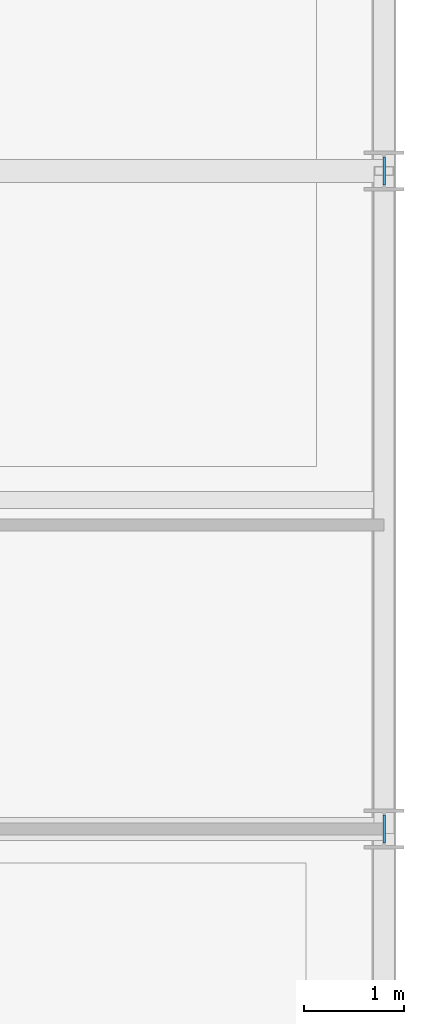
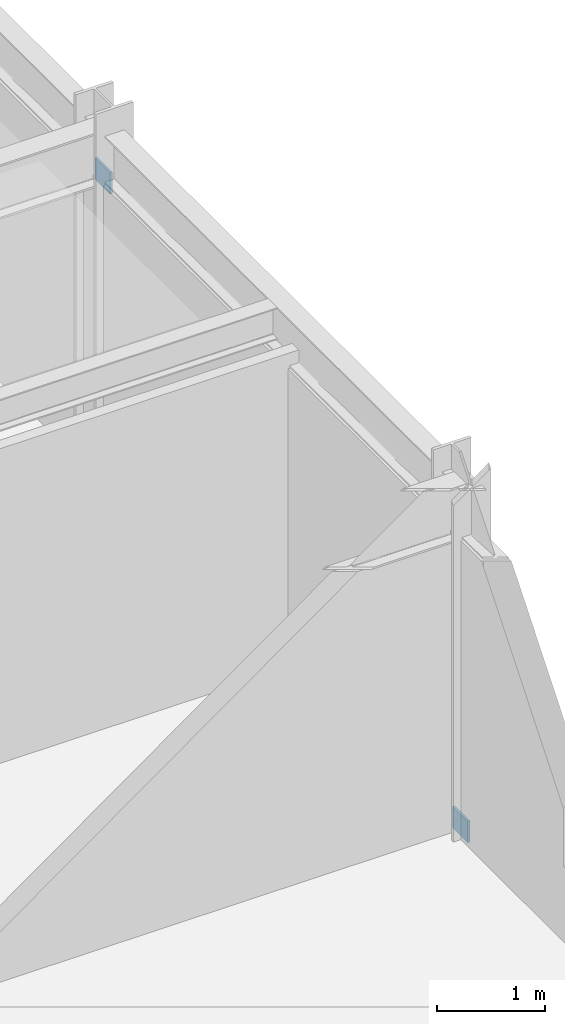
# One storey, part 121 of 147: 2 plates.
"""IFC4 building model written with IfcOpenShell, lengths in metres."""

from ifc_helpers import new_model, si_unit, direction, frame, origin, origin_2d, place, context, subcontext, project, spatial, rectangle, extrude, material, layer, layer_set, type_object, element, save


model = new_model("IFC4")

# Units and contexts
model_context = context("Model", 3, precision=1e-05, world=origin(), true_north=direction((0.0, 1.0)))
body_context = subcontext(model_context, "Body", "Model", "MODEL_VIEW")
ifc_project = project(units=[si_unit("LENGTHUNIT", "METRE"), si_unit("AREAUNIT", "SQUARE_METRE"), si_unit("VOLUMEUNIT", "CUBIC_METRE"), si_unit("PLANEANGLEUNIT", "RADIAN"), si_unit("MASSUNIT", "GRAM", prefix="KILO")], contexts=[model_context])

# Site, building, storey
site_placement = place(None, origin())
site = spatial("IfcSite", under=ifc_project, at=site_placement, CompositionType="ELEMENT")
building_placement = place(site_placement, origin())
building = spatial("IfcBuilding", under=site, at=building_placement, Name="Karori Crest Natural Sciences Institute", CompositionType="ELEMENT")
storey_placement = place(building_placement, frame((0.0, 0.0, 9.10009765625)))
storey = spatial("IfcBuildingStorey", under=building, at=storey_placement, Name="L02", CompositionType="ELEMENT", Elevation=9.10009765625)

# Plates
ifc_material = material(Name="Structural steel AS/NZS 3679.1 Grade 350", Category="steel")
ifc_layer = layer(ifc_material, 0.02490234375, Name="Structural steel AS/NZS 3679.1 Grade 350")
ifc_layer_set = layer_set([ifc_layer], Name="Structural steel AS/NZS 3679.1 Grade 350")
plate_type = type_object("IfcPlateType", Name="PLT-06-EL", PredefinedType="SHEET", material=ifc_layer_set)
for number, where, z_axis, x_axis, name in (
    (1, (162.199951171875, 7.39990234375, -0.10986328125), (0.0, 0.0, 1.0), (0.0, 1.0, 0.0), "Brace gusset plate EP-0398"),
    (2, (162.199951171875, 14.0, 3.19775390625), (0.0, 0.0, 1.0), (0.0, 1.0, 0.0), "Brace gusset plate EP-0399"),
):
    element("IfcPlate", number, at=place(storey_placement, frame(where, z_axis=z_axis, x_axis=x_axis)), inside=storey, type_object=plate_type, Name=name, PredefinedType="SHEET", context=body_context, shape_type="SweptSolid", body=[
        extrude(rectangle(XDim=0.280029296875, YDim=0.02490234375, at=origin_2d()), origin(), (0.0, 0.0, 1.0), 0.239990234375),
    ])

save(model, "model.ifc")
